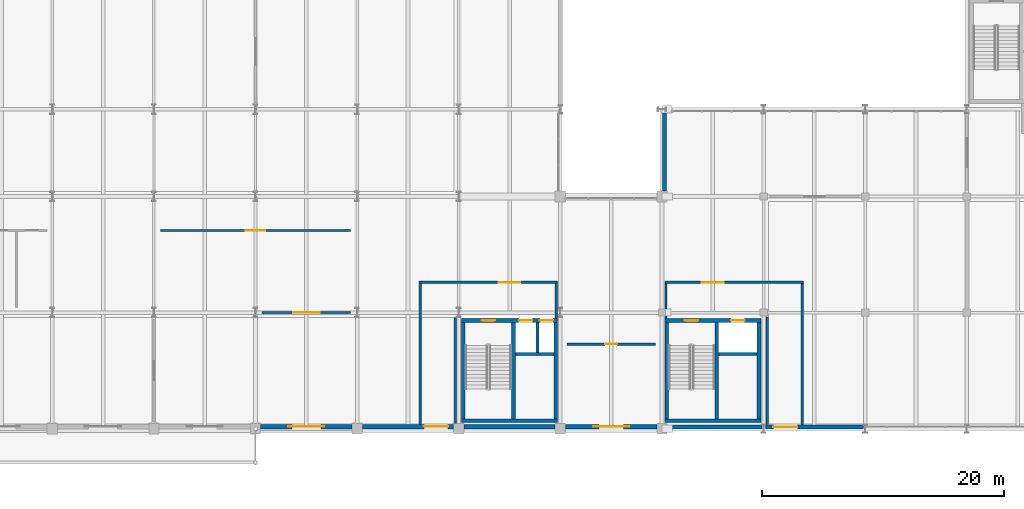
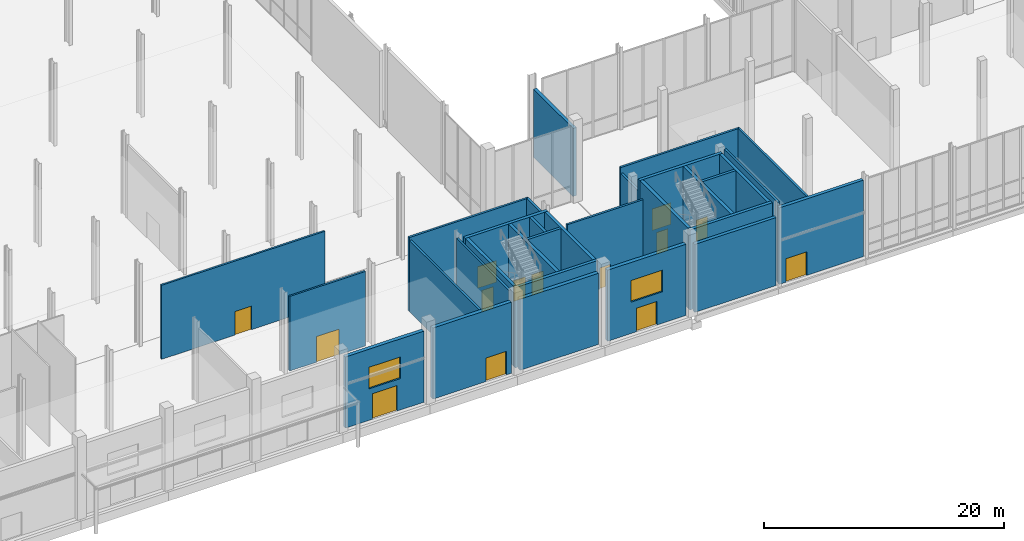
# One storey, part 117 of 131: 31 walls, 14 doors, 2 windows, 16 openings.
"""IFC4 building model written with IfcOpenShell, lengths in metres."""

from ifc_helpers import new_model, si_unit, direction, frame, frame_2d, origin, place, context, subcontext, project, spatial, rectangle, extrude, material, layer, layer_set, type_object, element, fill, save


model = new_model("IFC4")

# Units and contexts
model_context = context("Model", 3, precision=1e-05, world=origin(), true_north=direction((0.0, 1.0)))
body_context = subcontext(model_context, "Body", "Model", "MODEL_VIEW")
ifc_project = project(units=[si_unit("LENGTHUNIT", "METRE"), si_unit("AREAUNIT", "SQUARE_METRE"), si_unit("VOLUMEUNIT", "CUBIC_METRE"), si_unit("PLANEANGLEUNIT", "RADIAN"), si_unit("MASSUNIT", "GRAM", prefix="KILO")], contexts=[model_context])

# Site, building, storey
site_placement = place(None, origin())
site = spatial("IfcSite", under=ifc_project, at=site_placement, CompositionType="ELEMENT")
building_placement = place(site_placement, origin())
building = spatial("IfcBuilding", under=site, at=building_placement, Name="Veltarok Museum of Natural Sciences", CompositionType="ELEMENT")
storey_placement = place(building_placement, origin())
storey = spatial("IfcBuildingStorey", under=building, at=storey_placement, Name="L00", CompositionType="ELEMENT", Elevation=0.0)

# Wall, opening, door
ifc_material_1 = material(Name="Acoustic gypsum and mineral wool")
ifc_layer_1 = layer(ifc_material_1, 0.179931640625)
ifc_layer_set_1 = layer_set([ifc_layer_1], Name="Acoustic gypsum and mineral wool")
wall_type_1 = type_object("IfcWallType", Name="Exhibition Gallery Partition 180", PredefinedType="PARTITIONING", material=ifc_layer_set_1)
wall_1_placement = place(storey_placement, frame((74.14990234375, 9.60009765625, 0.0), z_axis=(0.0, 0.0, 1.0), x_axis=(1.0, 0.0, 0.0)))
wall_1 = element("IfcWall", 1, at=wall_1_placement, inside=storey, type_object=wall_type_1, Name="Interior Partition L00-012", PredefinedType="PARTITIONING", context=body_context, shape_type="SweptSolid", body=[
    extrude(rectangle(XDim=7.300048828125, YDim=0.179931640625, at=frame_2d((3.64990234375, 0.0))), origin(), (0.0, 0.0, 1.0), 7.58203125),
])
opening_1_placement = place(wall_1_placement, frame((2.550048828125, 0.0, 0.0)))
opening_1 = element("IfcOpeningElement", 2, at=opening_1_placement, cuts=wall_1, Name="Opening D-L00-138", PredefinedType="OPENING", context=body_context, shape_type="SweptSolid", body=[
    extrude(rectangle(XDim=2.199951171875, YDim=2.60009765625, at=frame_2d((1.10009765625, 1.300048828125))), frame((0.0, 0.10009765625, 0.0), z_axis=(0.0, -1.0, 0.0), x_axis=(1.0, 0.0, 0.0)), (0.0, 0.0, 1.0), 0.199951171875),
])
ifc_material_2 = material(Name="Solid European oak and acoustic glass", Category="glass")
door_type_1 = type_object("IfcDoorType", Name="Grand Gallery Double Portal Door 2200x2600", OperationType="NOTDEFINED", PredefinedType="DOOR", material=ifc_material_2)
door_1_placement = place(opening_1_placement, origin())
door_1 = element("IfcDoor", 3, at=door_1_placement, inside=storey, type_object=door_type_1, Name="Interior Door D-L00-138", OperationType="DOUBLE_DOOR_SINGLE_SWING", OverallHeight=2.60009765625, OverallWidth=2.199951171875, PredefinedType="DOOR", context=body_context, shape_type="SweptSolid", body=[
    extrude(rectangle(XDim=2.199951171875, YDim=2.60009765625, at=frame_2d((1.10009765625, 1.300048828125))), frame((0.0, 0.02490234375, 0.0), z_axis=(0.0, -1.0, 0.0), x_axis=(1.0, 0.0, 0.0)), (0.0, 0.0, 1.0), 0.050048828125),
])
fill(opening_1, door_1)

wall_2_placement = place(storey_placement, frame((65.75, 16.39990234375, 0.0), z_axis=(0.0, 0.0, 1.0), x_axis=(1.0, 0.0, 0.0)))
wall_2 = element("IfcWall", 4, at=wall_2_placement, inside=storey, type_object=wall_type_1, Name="Interior Partition L00-014", PredefinedType="PARTITIONING", context=body_context, shape_type="SweptSolid", body=[
    extrude(rectangle(XDim=15.699951171875, YDim=0.179931640625, at=frame_2d((7.85009765625, 0.0))), origin(), (0.0, 0.0, 1.0), 7.531982421875),
])
opening_2_placement = place(wall_2_placement, frame((7.050048828125, 0.0, 0.0)))
opening_2 = element("IfcOpeningElement", 5, at=opening_2_placement, cuts=wall_2, Name="Opening D-L00-140", PredefinedType="OPENING", context=body_context, shape_type="SweptSolid", body=[
    extrude(rectangle(XDim=1.60009765625, YDim=2.39990234375, at=frame_2d((0.800048828125, 1.199951171875))), frame((0.0, 0.10009765625, 0.0), z_axis=(0.0, -1.0, 0.0), x_axis=(1.0, 0.0, 0.0)), (0.0, 0.0, 1.0), 0.199951171875),
])
ifc_material_3 = material(Name="Solid European oak and safety glass", Category="glass")
door_type_2 = type_object("IfcDoorType", Name="Gallery Double Swing Door 1600x2400", OperationType="NOTDEFINED", PredefinedType="DOOR", material=ifc_material_3)
door_2_placement = place(opening_2_placement, origin())
door_2 = element("IfcDoor", 6, at=door_2_placement, inside=storey, type_object=door_type_2, Name="Interior Door D-L00-140", OperationType="DOUBLE_DOOR_SINGLE_SWING", OverallHeight=2.39990234375, OverallWidth=1.60009765625, PredefinedType="DOOR", context=body_context, shape_type="SweptSolid", body=[
    extrude(rectangle(XDim=1.60009765625, YDim=2.39990234375, at=frame_2d((0.800048828125, 1.199951171875))), frame((0.0, 0.02490234375, 0.0), z_axis=(0.0, -1.0, 0.0), x_axis=(1.0, 0.0, 0.0)), (0.0, 0.0, 1.0), 0.050048828125),
])
fill(opening_2, door_2)

# Wall, openings, door, window
ifc_material_4 = material(Name="Concrete C40/50", Category="concrete")
ifc_layer_2 = layer(ifc_material_4, 0.360107421875)
ifc_layer_set_2 = layer_set([ifc_layer_2], Name="Concrete C40/50")
wall_type_2 = type_object("IfcWallType", Name="Exposed Architectural Concrete Facade Wall 360", PredefinedType="SOLIDWALL", material=ifc_layer_set_2)
wall_3_placement = place(storey_placement, frame((74.02490234375, 0.179931640625, 0.0), z_axis=(0.0, 0.0, 1.0), x_axis=(1.0, 0.0, 0.0)))
wall_3 = element("IfcWall", 7, at=wall_3_placement, inside=storey, type_object=wall_type_2, Name="South Portal Wall 9-10", PredefinedType="SOLIDWALL", context=body_context, shape_type="SweptSolid", body=[
    extrude(rectangle(XDim=7.550048828125, YDim=0.360107421875, at=frame_2d((3.77490234375, 0.0))), origin(), (0.0, 0.0, 1.0), 7.235107421875),
])
opening_3_placement = place(wall_3_placement, frame((2.574951171875, 0.0, 0.0)))
opening_3 = element("IfcOpeningElement", 8, at=opening_3_placement, cuts=wall_3, Name="Opening E-03", PredefinedType="OPENING", context=body_context, shape_type="SweptSolid", body=[
    extrude(rectangle(XDim=2.39990234375, YDim=2.60009765625, at=frame_2d((1.199951171875, 1.300048828125))), frame((0.0, 0.18994140625, 0.0), z_axis=(0.0, -1.0, 0.0), x_axis=(1.0, 0.0, 0.0)), (0.0, 0.0, 1.0), 0.380126953125),
])
opening_4_placement = place(wall_3_placement, frame((2.27490234375, 0.0, 3.199951171875)))
opening_4 = element("IfcOpeningElement", 9, at=opening_4_placement, cuts=wall_3, Name="Opening W-L00-004", PredefinedType="OPENING", context=body_context, shape_type="SweptSolid", body=[
    extrude(rectangle(XDim=3.0, YDim=2.199951171875, at=frame_2d((1.5, 1.10009765625))), frame((0.0, 0.18994140625, 0.0), z_axis=(0.0, -1.0, 0.0), x_axis=(1.0, 0.0, 0.0)), (0.0, 0.0, 1.0), 0.380126953125),
])
ifc_material_5 = material(Name="Thermally broken aluminium and glass", Category="aluminium")
door_type_3 = type_object("IfcDoorType", Name="Double Glazed Entrance Portal Door 2400x2600", OperationType="NOTDEFINED", PredefinedType="DOOR", material=ifc_material_5)
door_3_placement = place(opening_3_placement, frame((2.39990234375, 0.0, 0.0), z_axis=(0.0, 0.0, 1.0), x_axis=(-1.0, 0.0, 0.0)))
door_3 = element("IfcDoor", 10, at=door_3_placement, inside=storey, type_object=door_type_3, Name="Pedestrian Final Exit E-03", OperationType="DOUBLE_DOOR_SINGLE_SWING", OverallHeight=2.60009765625, OverallWidth=2.39990234375, PredefinedType="DOOR", context=body_context, shape_type="SweptSolid", body=[
    extrude(rectangle(XDim=2.39990234375, YDim=2.60009765625, at=frame_2d((1.199951171875, 1.300048828125))), frame((0.0, 0.02490234375, 0.0), z_axis=(0.0, -1.0, 0.0), x_axis=(1.0, 0.0, 0.0)), (0.0, 0.0, 1.0), 0.050048828125),
])
fill(opening_3, door_3)
ifc_material_6 = material(Name="Low-iron triple insulated glass", Category="glass")
window_type = type_object("IfcWindowType", Name="Passage Foyer Transom Window 3000x2200", PartitioningType="SINGLE_PANEL", PredefinedType="WINDOW", material=ifc_material_6)
window_1_placement = place(opening_4_placement, origin())
window_1 = element("IfcWindow", 11, at=window_1_placement, inside=storey, type_object=window_type, Name="Portal Clerestory Window 9-10", OverallHeight=2.199951171875, OverallWidth=3.0, PartitioningType="SINGLE_PANEL", PredefinedType="WINDOW", context=body_context, shape_type="SweptSolid", body=[
    extrude(rectangle(XDim=3.0, YDim=2.199951171875, at=frame_2d((1.5, 1.10009765625))), frame((0.0, 0.030029296875, 0.0), z_axis=(0.0, -1.0, 0.0), x_axis=(1.0, 0.0, 0.0)), (0.0, 0.0, 1.0), 0.06005859375),
])
fill(opening_4, window_1)

# Wall, opening, door
wall_4_placement = place(storey_placement, frame((82.425048828125, 0.179931640625, 0.0), z_axis=(0.0, 0.0, 1.0), x_axis=(1.0, 0.0, 0.0)))
wall_4 = element("IfcWall", 12, at=wall_4_placement, inside=storey, type_object=wall_type_2, Name="South Portal Wall 10-11", PredefinedType="SOLIDWALL", context=body_context, shape_type="SweptSolid", body=[
    extrude(rectangle(XDim=7.550048828125, YDim=0.360107421875, at=frame_2d((3.77490234375, 0.0))), origin(), (0.0, 0.0, 1.0), 7.235107421875),
])
opening_5_placement = place(wall_4_placement, frame((5.10009765625, 0.0, 0.0)))
opening_5 = element("IfcOpeningElement", 13, at=opening_5_placement, cuts=wall_4, Name="Opening E-12", PredefinedType="OPENING", context=body_context, shape_type="SweptSolid", body=[
    extrude(rectangle(XDim=2.0, YDim=2.39990234375, at=frame_2d((1.0, 1.199951171875))), frame((0.0, 0.18994140625, 0.0), z_axis=(0.0, -1.0, 0.0), x_axis=(1.0, 0.0, 0.0)), (0.0, 0.0, 1.0), 0.380126953125),
])
ifc_material_7 = material(Name="Insulated steel and safety glass", Category="steel")
door_type_4 = type_object("IfcDoorType", Name="Double Escape Discharge Door 2000x2400", OperationType="NOTDEFINED", PredefinedType="DOOR", material=ifc_material_7)
door_4_placement = place(opening_5_placement, frame((2.0, 0.0, 0.0), z_axis=(0.0, 0.0, 1.0), x_axis=(-1.0, 0.0, 0.0)))
door_4 = element("IfcDoor", 14, at=door_4_placement, inside=storey, type_object=door_type_4, Name="Pedestrian Final Exit E-12", OperationType="DOUBLE_DOOR_SINGLE_SWING", OverallHeight=2.39990234375, OverallWidth=2.0, PredefinedType="DOOR", context=body_context, shape_type="SweptSolid", body=[
    extrude(rectangle(XDim=2.0, YDim=2.39990234375, at=frame_2d((1.0, 1.199951171875))), frame((0.0, 0.02490234375, 0.0), z_axis=(0.0, -1.0, 0.0), x_axis=(1.0, 0.0, 0.0)), (0.0, 0.0, 1.0), 0.050048828125),
])
fill(opening_5, door_4)

# Wall
wall_5_placement = place(storey_placement, frame((90.824951171875, 0.179931640625, 0.0), z_axis=(0.0, 0.0, 1.0), x_axis=(1.0, 0.0, 0.0)))
element("IfcWall", 15, at=wall_5_placement, inside=storey, type_object=wall_type_2, Name="South Core Facade Wall L00 11-12", PredefinedType="SOLIDWALL", context=body_context, shape_type="SweptSolid", body=[
    extrude(rectangle(XDim=7.550048828125, YDim=0.360107421875, at=frame_2d((3.77490234375, 0.0))), origin(), (0.0, 0.0, 1.0), 7.235107421875),
])

# Wall, openings, door, window
wall_6_placement = place(storey_placement, frame((99.22509765625, 0.179931640625, 0.0), z_axis=(0.0, 0.0, 1.0), x_axis=(1.0, 0.0, 0.0)))
wall_6 = element("IfcWall", 16, at=wall_6_placement, inside=storey, type_object=wall_type_2, Name="South Portal Wall 12-13", PredefinedType="SOLIDWALL", context=body_context, shape_type="SweptSolid", body=[
    extrude(rectangle(XDim=7.5498046875, YDim=0.360107421875, at=frame_2d((3.77490234375, 0.0))), origin(), (0.0, 0.0, 1.0), 7.235107421875),
])
opening_6_placement = place(wall_6_placement, frame((2.77490234375, 0.0, 0.0)))
opening_6 = element("IfcOpeningElement", 17, at=opening_6_placement, cuts=wall_6, Name="Opening E-05", PredefinedType="OPENING", context=body_context, shape_type="SweptSolid", body=[
    extrude(rectangle(XDim=2.0, YDim=2.39990234375, at=frame_2d((1.0, 1.199951171875))), frame((0.0, 0.18994140625, 0.0), z_axis=(0.0, -1.0, 0.0), x_axis=(1.0, 0.0, 0.0)), (0.0, 0.0, 1.0), 0.380126953125),
])
opening_7_placement = place(wall_6_placement, frame((2.27490234375, 0.0, 3.199951171875)))
opening_7 = element("IfcOpeningElement", 18, at=opening_7_placement, cuts=wall_6, Name="Opening W-L00-005", PredefinedType="OPENING", context=body_context, shape_type="SweptSolid", body=[
    extrude(rectangle(XDim=3.0, YDim=2.199951171875, at=frame_2d((1.5, 1.10009765625))), frame((0.0, 0.18994140625, 0.0), z_axis=(0.0, -1.0, 0.0), x_axis=(1.0, 0.0, 0.0)), (0.0, 0.0, 1.0), 0.380126953125),
])
door_5_placement = place(opening_6_placement, frame((2.0, 0.0, 0.0), z_axis=(0.0, 0.0, 1.0), x_axis=(-1.0, 0.0, 0.0)))
door_5 = element("IfcDoor", 19, at=door_5_placement, inside=storey, type_object=door_type_4, Name="Pedestrian Final Exit E-05", OperationType="DOUBLE_DOOR_SINGLE_SWING", OverallHeight=2.39990234375, OverallWidth=2.0, PredefinedType="DOOR", context=body_context, shape_type="SweptSolid", body=[
    extrude(rectangle(XDim=2.0, YDim=2.39990234375, at=frame_2d((1.0, 1.199951171875))), frame((0.0, 0.02490234375, 0.0), z_axis=(0.0, -1.0, 0.0), x_axis=(1.0, 0.0, 0.0)), (0.0, 0.0, 1.0), 0.050048828125),
])
fill(opening_6, door_5)
window_2_placement = place(opening_7_placement, origin())
window_2 = element("IfcWindow", 20, at=window_2_placement, inside=storey, type_object=window_type, Name="Portal Clerestory Window 12-13", OverallHeight=2.199951171875, OverallWidth=3.0, PartitioningType="SINGLE_PANEL", PredefinedType="WINDOW", context=body_context, shape_type="SweptSolid", body=[
    extrude(rectangle(XDim=3.0, YDim=2.199951171875, at=frame_2d((1.5, 1.10009765625))), frame((0.0, 0.030029296875, 0.0), z_axis=(0.0, -1.0, 0.0), x_axis=(1.0, 0.0, 0.0)), (0.0, 0.0, 1.0), 0.06005859375),
])
fill(opening_7, window_2)

# Wall, opening, door
ifc_material_8 = material(Name="Concrete C35/45", Category="concrete")
ifc_layer_3 = layer(ifc_material_8, 0.199951171875)
ifc_layer_set_3 = layer_set([ifc_layer_3], Name="Concrete C35/45")
wall_type_3 = type_object("IfcWallType", Name="Firefighting Lobby Compartment Wall 200", PredefinedType="SOLIDWALL", material=ifc_layer_set_3)
wall_7_placement = place(storey_placement, frame((87.10009765625, 12.10009765625, 0.0), z_axis=(0.0, 0.0, 1.0), x_axis=(1.0, 0.0, 0.0)))
wall_7 = element("IfcWall", 21, at=wall_7_placement, inside=storey, type_object=wall_type_3, Name="Firefighting Lobby Wall C2 L00 N", PredefinedType="SOLIDWALL", context=body_context, shape_type="SweptSolid", body=[
    extrude(rectangle(XDim=11.469970703125, YDim=0.199951171875, at=frame_2d((5.73486328125, 0.0))), origin(), (0.0, 0.0, 1.0), 7.531982421875),
])
opening_8_placement = place(wall_7_placement, frame((6.60009765625, 0.0, 0.0)))
opening_8 = element("IfcOpeningElement", 22, at=opening_8_placement, cuts=wall_7, Name="Opening D-L00-015", PredefinedType="OPENING", context=body_context, shape_type="SweptSolid", body=[
    extrude(rectangle(XDim=1.800048828125, YDim=2.199951171875, at=frame_2d((0.89990234375, 1.10009765625))), frame((0.0, 0.10986328125, 0.0), z_axis=(0.0, -1.0, 0.0), x_axis=(1.0, 0.0, 0.0)), (0.0, 0.0, 1.0), 0.219970703125),
])
ifc_material_9 = material(Name="Fire-rated steel and vision glass", Category="steel")
door_type_5 = type_object("IfcDoorType", Name="Fire Lobby Double Door 1800x2200", OperationType="NOTDEFINED", PredefinedType="DOOR", material=ifc_material_9)
door_6_placement = place(opening_8_placement, origin())
door_6 = element("IfcDoor", 23, at=door_6_placement, inside=storey, type_object=door_type_5, Name="Firefighting Lobby Entrance Door C2 L00", OperationType="DOUBLE_DOOR_SINGLE_SWING", OverallHeight=2.199951171875, OverallWidth=1.800048828125, PredefinedType="DOOR", context=body_context, shape_type="SweptSolid", body=[
    extrude(rectangle(XDim=1.800048828125, YDim=2.199951171875, at=frame_2d((0.89990234375, 1.10009765625))), frame((0.0, 0.02490234375, 0.0), z_axis=(0.0, -1.0, 0.0), x_axis=(1.0, 0.0, 0.0)), (0.0, 0.0, 1.0), 0.050048828125),
])
fill(opening_8, door_6)

# Walls
wall_8_placement = place(storey_placement, frame((98.469970703125, 12.0, 0.0), z_axis=(0.0, 0.0, 1.0), x_axis=(0.0, -1.0, 0.0)))
element("IfcWall", 24, at=wall_8_placement, inside=storey, type_object=wall_type_3, Name="Firefighting Lobby Wall C2 L00 E", PredefinedType="SOLIDWALL", context=body_context, shape_type="SweptSolid", body=[
    extrude(rectangle(XDim=2.89990234375, YDim=0.199951171875, at=frame_2d((1.449951171875, 0.0))), origin(), (0.0, 0.0, 1.0), 7.58203125),
])
wall_9_placement = place(storey_placement, frame((87.199951171875, 0.360107421875, 0.0), z_axis=(0.0, 0.0, 1.0), x_axis=(0.0, 1.0, 0.0)))
element("IfcWall", 25, at=wall_9_placement, inside=storey, type_object=wall_type_3, Name="Firefighting Lobby Wall C2 L00 EPW", PredefinedType="SOLIDWALL", context=body_context, shape_type="SweptSolid", body=[
    extrude(rectangle(XDim=11.639892578125, YDim=0.199951171875, at=frame_2d((5.81982421875, 0.0))), origin(), (0.0, 0.0, 1.0), 7.23193359375),
])
wall_10_placement = place(storey_placement, frame((90.10009765625, 9.199951171875, 0.0), z_axis=(0.0, 0.0, 1.0), x_axis=(0.0, -1.0, 0.0)))
element("IfcWall", 26, at=wall_10_placement, inside=storey, type_object=wall_type_3, Name="Firefighting Lobby Wall C2 L00 EPE", PredefinedType="SOLIDWALL", context=body_context, shape_type="SweptSolid", body=[
    extrude(rectangle(XDim=8.75, YDim=0.199951171875, at=frame_2d((4.375, 0.0))), origin(), (0.0, 0.0, 1.0), 8.135009765625),
])

# Wall, opening, door
wall_11_placement = place(storey_placement, frame((107.429931640625, 12.10009765625, 0.0), z_axis=(0.0, 0.0, 1.0), x_axis=(1.0, 0.0, 0.0)))
wall_11 = element("IfcWall", 27, at=wall_11_placement, inside=storey, type_object=wall_type_3, Name="Firefighting Lobby Wall C4 L00 N", PredefinedType="SOLIDWALL", context=body_context, shape_type="SweptSolid", body=[
    extrude(rectangle(XDim=11.469970703125, YDim=0.199951171875, at=frame_2d((5.73486328125, 0.0))), origin(), (0.0, 0.0, 1.0), 7.531982421875),
])
opening_9_placement = place(wall_11_placement, frame((3.070068359375, 0.0, 0.0)))
opening_9 = element("IfcOpeningElement", 28, at=opening_9_placement, cuts=wall_11, Name="Opening D-L00-020", PredefinedType="OPENING", context=body_context, shape_type="SweptSolid", body=[
    extrude(rectangle(XDim=1.800048828125, YDim=2.199951171875, at=frame_2d((0.89990234375, 1.10009765625))), frame((0.0, 0.10986328125, 0.0), z_axis=(0.0, -1.0, 0.0), x_axis=(1.0, 0.0, 0.0)), (0.0, 0.0, 1.0), 0.219970703125),
])
door_7_placement = place(opening_9_placement, origin())
door_7 = element("IfcDoor", 29, at=door_7_placement, inside=storey, type_object=door_type_5, Name="Firefighting Lobby Entrance Door C4 L00", OperationType="DOUBLE_DOOR_SINGLE_SWING", OverallHeight=2.199951171875, OverallWidth=1.800048828125, PredefinedType="DOOR", context=body_context, shape_type="SweptSolid", body=[
    extrude(rectangle(XDim=1.800048828125, YDim=2.199951171875, at=frame_2d((0.89990234375, 1.10009765625))), frame((0.0, 0.02490234375, 0.0), z_axis=(0.0, -1.0, 0.0), x_axis=(1.0, 0.0, 0.0)), (0.0, 0.0, 1.0), 0.050048828125),
])
fill(opening_9, door_7)

# Walls
wall_12_placement = place(storey_placement, frame((107.530029296875, 9.10009765625, 0.0), z_axis=(0.0, 0.0, 1.0), x_axis=(0.0, 1.0, 0.0)))
element("IfcWall", 30, at=wall_12_placement, inside=storey, type_object=wall_type_3, Name="Firefighting Lobby Wall C4 L00 W", PredefinedType="SOLIDWALL", context=body_context, shape_type="SweptSolid", body=[
    extrude(rectangle(XDim=2.89990234375, YDim=0.199951171875, at=frame_2d((1.449951171875, 0.0))), origin(), (0.0, 0.0, 1.0), 6.931884765625),
])
wall_13_placement = place(storey_placement, frame((118.800048828125, 12.0, 0.0), z_axis=(0.0, 0.0, 1.0), x_axis=(0.0, -1.0, 0.0)))
element("IfcWall", 31, at=wall_13_placement, inside=storey, type_object=wall_type_3, Name="Firefighting Lobby Wall C4 L00 EPE", PredefinedType="SOLIDWALL", context=body_context, shape_type="SweptSolid", body=[
    extrude(rectangle(XDim=11.679931640625, YDim=0.199951171875, at=frame_2d((5.83984375, 0.0))), origin(), (0.0, 0.0, 1.0), 7.58203125),
])
wall_14_placement = place(storey_placement, frame((115.89990234375, 0.35009765625, 0.0), z_axis=(0.0, 0.0, 1.0), x_axis=(0.0, 1.0, 0.0)))
element("IfcWall", 32, at=wall_14_placement, inside=storey, type_object=wall_type_3, Name="Firefighting Lobby Wall C4 L00 EPW", PredefinedType="SOLIDWALL", context=body_context, shape_type="SweptSolid", body=[
    extrude(rectangle(XDim=8.89990234375, YDim=0.199951171875, at=frame_2d((4.449951171875, 0.0))), origin(), (0.0, 0.0, 1.0), 8.135009765625),
])

# Wall, opening, door
wall_15_placement = place(storey_placement, frame((99.35009765625, 7.0, 0.0), z_axis=(0.0, 0.0, 1.0), x_axis=(1.0, 0.0, 0.0)))
wall_15 = element("IfcWall", 33, at=wall_15_placement, inside=storey, type_object=wall_type_3, Name="Interior Partition L00-013", PredefinedType="SOLIDWALL", context=body_context, shape_type="SweptSolid", body=[
    extrude(rectangle(XDim=7.2998046875, YDim=0.199951171875, at=frame_2d((3.64990234375, 0.0))), origin(), (0.0, 0.0, 1.0), 7.632080078125),
])
opening_10_placement = place(wall_15_placement, frame((3.14990234375, 0.0, 0.0)))
opening_10 = element("IfcOpeningElement", 34, at=opening_10_placement, cuts=wall_15, Name="Opening D-L00-139", PredefinedType="OPENING", context=body_context, shape_type="SweptSolid", body=[
    extrude(rectangle(XDim=1.0, YDim=2.14990234375, at=frame_2d((0.5, 1.074951171875))), frame((0.0, 0.10986328125, 0.0), z_axis=(0.0, -1.0, 0.0), x_axis=(1.0, 0.0, 0.0)), (0.0, 0.0, 1.0), 0.219970703125),
])
ifc_material_10 = material(Name="Fire-rated painted steel", Category="steel")
door_type_6 = type_object("IfcDoorType", Name="Fire Compartment Single Door 1000x2150", OperationType="NOTDEFINED", PredefinedType="DOOR", material=ifc_material_10)
door_8_placement = place(opening_10_placement, origin())
door_8 = element("IfcDoor", 35, at=door_8_placement, inside=storey, type_object=door_type_6, Name="Interior Door D-L00-139", OperationType="SINGLE_SWING_LEFT", OverallHeight=2.14990234375, OverallWidth=1.0, PredefinedType="DOOR", context=body_context, shape_type="SweptSolid", body=[
    extrude(rectangle(XDim=1.0, YDim=2.14990234375, at=frame_2d((0.5, 1.074951171875))), frame((0.0, 0.02490234375, 0.0), z_axis=(0.0, -1.0, 0.0), x_axis=(1.0, 0.0, 0.0)), (0.0, 0.0, 1.0), 0.050048828125),
])
fill(opening_10, door_8)

# Wall
ifc_material_11 = material(Name="Precast concrete C40/50", Category="concrete")
ifc_layer_4 = layer(ifc_material_11, 0.320068359375)
ifc_layer_set_4 = layer_set([ifc_layer_4], Name="Precast concrete C40/50")
wall_type_4 = type_object("IfcWallType", Name="Insulated Precast Facade Wall 320", PredefinedType="SOLIDWALL", material=ifc_layer_set_4)
wall_16_placement = place(storey_placement, frame((107.625, 0.159912109375, 0.0), z_axis=(0.0, 0.0, 1.0), x_axis=(1.0, 0.0, 0.0)))
element("IfcWall", 36, at=wall_16_placement, inside=storey, type_object=wall_type_4, Name="Core C4 South Facade Wall L00", PredefinedType="SOLIDWALL", context=body_context, shape_type="SweptSolid", body=[
    extrude(rectangle(XDim=7.824951171875, YDim=0.320068359375, at=frame_2d((3.91259765625, 0.0))), origin(), (0.0, 0.0, 1.0), 6.919921875),
])

# Wall, opening, door
wall_17_placement = place(storey_placement, frame((115.75, 0.159912109375, 0.0), z_axis=(0.0, 0.0, 1.0), x_axis=(1.0, 0.0, 0.0)))
wall_17 = element("IfcWall", 37, at=wall_17_placement, inside=storey, type_object=wall_type_4, Name="East Wing South Exit Portal Wall", PredefinedType="SOLIDWALL", context=body_context, shape_type="SweptSolid", body=[
    extrude(rectangle(XDim=8.10009765625, YDim=0.320068359375, at=frame_2d((4.050048828125, 0.0))), origin(), (0.0, 0.0, 1.0), 7.780029296875),
])
opening_11_placement = place(wall_17_placement, frame((0.64990234375, 0.0, 0.0)))
opening_11 = element("IfcOpeningElement", 38, at=opening_11_placement, cuts=wall_17, Name="Opening E-09", PredefinedType="OPENING", context=body_context, shape_type="SweptSolid", body=[
    extrude(rectangle(XDim=2.0, YDim=2.39990234375, at=frame_2d((1.0, 1.199951171875))), frame((0.0, 0.169921875, 0.0), z_axis=(0.0, -1.0, 0.0), x_axis=(1.0, 0.0, 0.0)), (0.0, 0.0, 1.0), 0.340087890625),
])
door_9_placement = place(opening_11_placement, frame((2.0, 0.0, 0.0), z_axis=(0.0, 0.0, 1.0), x_axis=(-1.0, 0.0, 0.0)))
door_9 = element("IfcDoor", 39, at=door_9_placement, inside=storey, type_object=door_type_4, Name="Pedestrian Final Exit E-09 East Wing South", OperationType="DOUBLE_DOOR_SINGLE_SWING", OverallHeight=2.39990234375, OverallWidth=2.0, PredefinedType="DOOR", context=body_context, shape_type="SweptSolid", body=[
    extrude(rectangle(XDim=2.0, YDim=2.39990234375, at=frame_2d((1.0, 1.199951171875))), frame((0.0, 0.02490234375, 0.0), z_axis=(0.0, -1.0, 0.0), x_axis=(1.0, 0.0, 0.0)), (0.0, 0.0, 1.0), 0.050048828125),
])
fill(opening_11, door_9)

# Walls
wall_18_placement = place(storey_placement, frame((107.419921875, 26.25, 0.0), z_axis=(0.0, 0.0, 1.0), x_axis=(0.0, -1.0, 0.0)))
element("IfcWall", 40, at=wall_18_placement, inside=storey, type_object=wall_type_4, Name="V5 Courtyard West End Wall L00 13/C-D", PredefinedType="SOLIDWALL", context=body_context, shape_type="SweptSolid", body=[
    extrude(rectangle(XDim=6.60009765625, YDim=0.320068359375, at=frame_2d((3.300048828125, 0.0))), origin(), (0.0, 0.0, 1.0), 6.931884765625),
])
ifc_layer_5 = layer(ifc_material_4, 0.25)
ifc_layer_set_5 = layer_set([ifc_layer_5], Name="Concrete C40/50")
wall_type_5 = type_object("IfcWallType", Name="Lift Shaft Concrete Shear Wall 250", PredefinedType="SHEAR", material=ifc_layer_set_5)
wall_19_placement = place(storey_placement, frame((96.9150390625, 6.300048828125, 0.0), z_axis=(0.0, 0.0, 1.0), x_axis=(0.0, 1.0, 0.0)))
element("IfcWall", 41, at=wall_19_placement, inside=storey, type_object=wall_type_5, Name="Lift Shaft Divider Wall C2 L00", PredefinedType="SHEAR", context=body_context, shape_type="SweptSolid", body=[
    extrude(rectangle(XDim=2.5, YDim=0.25, at=frame_2d((1.25, 0.0))), origin(), (0.0, 0.0, 1.0), 8.14990234375),
])
for number, where, z_axis, x_axis, name in (
    (42, (95.070068359375, 6.175048828125, 0.0), (0.0, 0.0, 1.0), (1.0, 0.0, 0.0), "Lift Shaft Back Wall C2 L00"),
    (43, (111.8701171875, 6.175048828125, 0.0), (0.0, 0.0, 1.0), (1.0, 0.0, 0.0), "Lift Shaft Back Wall C4 L00"),
):
    element("IfcWall", number, at=place(storey_placement, frame(where, z_axis=z_axis, x_axis=x_axis)), inside=storey, type_object=wall_type_5, Name=name, PredefinedType="SHEAR", context=body_context, shape_type="SweptSolid", body=[
        extrude(rectangle(XDim=3.199951171875, YDim=0.25, at=frame_2d((1.60009765625, 0.0))), origin(), (0.0, 0.0, 1.0), 8.14990234375),
    ])
ifc_layer_6 = layer(ifc_material_4, 0.300048828125)
ifc_layer_set_6 = layer_set([ifc_layer_6], Name="Concrete C40/50")
wall_type_6 = type_object("IfcWallType", Name="Protected Core Shear Wall 300", PredefinedType="SHEAR", material=ifc_layer_set_6)
wall_20_placement = place(storey_placement, frame((90.6298828125, 0.64990234375, 0.0), z_axis=(0.0, 0.0, 1.0), x_axis=(1.0, 0.0, 0.0)))
element("IfcWall", 44, at=wall_20_placement, inside=storey, type_object=wall_type_6, Name="Core Shear Wall C2 L00 S", PredefinedType="SHEAR", context=body_context, shape_type="SweptSolid", body=[
    extrude(rectangle(XDim=7.940185546875, YDim=0.300048828125, at=frame_2d((3.97021484375, 0.0))), origin(), (0.0, 0.0, 1.0), 8.14990234375),
])

# Wall, openings, doors
wall_21_placement = place(storey_placement, frame((98.570068359375, 8.949951171875, 0.0), z_axis=(0.0, 0.0, 1.0), x_axis=(-1.0, 0.0, 0.0)))
wall_21 = element("IfcWall", 45, at=wall_21_placement, inside=storey, type_object=wall_type_6, Name="Core Shear Wall C2 L00 N", PredefinedType="SHEAR", context=body_context, shape_type="SweptSolid", body=[
    extrude(rectangle(XDim=7.940185546875, YDim=0.300048828125, at=frame_2d((3.97021484375, 0.0))), origin(), (0.0, 0.0, 1.0), 8.14990234375),
])
opening_12_placement = place(wall_21_placement, frame((5.169921875, 0.0, 0.0)))
opening_12 = element("IfcOpeningElement", 46, at=opening_12_placement, cuts=wall_21, Name="Opening D-L00-014", PredefinedType="OPENING", context=body_context, shape_type="SweptSolid", body=[
    extrude(rectangle(XDim=1.10009765625, YDim=2.199951171875, at=frame_2d((0.550048828125, 1.10009765625))), frame((0.0, 0.16015625, 0.0), z_axis=(0.0, -1.0, 0.0), x_axis=(1.0, 0.0, 0.0)), (0.0, 0.0, 1.0), 0.320068359375),
])
opening_13_placement = place(wall_21_placement, frame((2.090087890625, 0.0, 0.0)))
opening_13 = element("IfcOpeningElement", 47, at=opening_13_placement, cuts=wall_21, Name="Opening LD-L00-LP-02", PredefinedType="OPENING", context=body_context, shape_type="SweptSolid", body=[
    extrude(rectangle(XDim=1.10009765625, YDim=2.10009765625, at=frame_2d((0.550048828125, 1.050048828125))), frame((0.0, 0.16015625, 0.0), z_axis=(0.0, -1.0, 0.0), x_axis=(1.0, 0.0, 0.0)), (0.0, 0.0, 1.0), 0.320068359375),
])
opening_14_placement = place(wall_21_placement, frame((0.364990234375, 0.0, 0.0)))
opening_14 = element("IfcOpeningElement", 48, at=opening_14_placement, cuts=wall_21, Name="Opening LD-L00-FL-02", PredefinedType="OPENING", context=body_context, shape_type="SweptSolid", body=[
    extrude(rectangle(XDim=1.10009765625, YDim=2.10009765625, at=frame_2d((0.550048828125, 1.050048828125))), frame((0.0, 0.16015625, 0.0), z_axis=(0.0, -1.0, 0.0), x_axis=(1.0, 0.0, 0.0)), (0.0, 0.0, 1.0), 0.320068359375),
])
door_type_7 = type_object("IfcDoorType", Name="Fire Core Single Escape Door 1100x2200", OperationType="NOTDEFINED", PredefinedType="DOOR", material=ifc_material_10)
door_10_placement = place(opening_12_placement, origin())
door_10 = element("IfcDoor", 49, at=door_10_placement, inside=storey, type_object=door_type_7, Name="Protected Stair Door ST-02 L00", OperationType="SINGLE_SWING_LEFT", OverallHeight=2.199951171875, OverallWidth=1.10009765625, PredefinedType="DOOR", context=body_context, shape_type="SweptSolid", body=[
    extrude(rectangle(XDim=1.10009765625, YDim=2.199951171875, at=frame_2d((0.550048828125, 1.10009765625))), frame((0.0, 0.02490234375, 0.0), z_axis=(0.0, -1.0, 0.0), x_axis=(1.0, 0.0, 0.0)), (0.0, 0.0, 1.0), 0.050048828125),
])
fill(opening_12, door_10)
ifc_material_12 = material(Name="Brushed stainless steel", Category="steel")
door_type_8 = type_object("IfcDoorType", Name="Passenger and Firefighting Lift Landing Door 1100x2100", OperationType="SLIDING_TO_LEFT", PredefinedType="DOOR", material=ifc_material_12)
door_11_placement = place(opening_13_placement, origin())
door_11 = element("IfcDoor", 50, at=door_11_placement, inside=storey, type_object=door_type_8, Name="Sliding Lift Landing Door LD-L00-LP-02", OperationType="SLIDING_TO_LEFT", OverallHeight=2.10009765625, OverallWidth=1.10009765625, PredefinedType="DOOR", context=body_context, shape_type="SweptSolid", body=[
    extrude(rectangle(XDim=1.10009765625, YDim=2.10009765625, at=frame_2d((0.550048828125, 1.050048828125))), frame((0.0, 0.02490234375, 0.0), z_axis=(0.0, -1.0, 0.0), x_axis=(1.0, 0.0, 0.0)), (0.0, 0.0, 1.0), 0.050048828125),
])
fill(opening_13, door_11)
door_12_placement = place(opening_14_placement, origin())
door_12 = element("IfcDoor", 51, at=door_12_placement, inside=storey, type_object=door_type_8, Name="Sliding Lift Landing Door LD-L00-FL-02", OperationType="SLIDING_TO_LEFT", OverallHeight=2.10009765625, OverallWidth=1.10009765625, PredefinedType="DOOR", context=body_context, shape_type="SweptSolid", body=[
    extrude(rectangle(XDim=1.10009765625, YDim=2.10009765625, at=frame_2d((0.550048828125, 1.050048828125))), frame((0.0, 0.02490234375, 0.0), z_axis=(0.0, -1.0, 0.0), x_axis=(1.0, 0.0, 0.0)), (0.0, 0.0, 1.0), 0.050048828125),
])
fill(opening_14, door_12)

# Walls
for number, where, z_axis, x_axis, name in (
    (52, (90.780029296875, 8.800048828125, 0.0), (0.0, 0.0, 1.0), (0.0, -1.0, 0.0), "Core Shear Wall C2 L00 W"),
    (53, (98.419921875, 0.800048828125, 0.0), (0.0, 0.0, 1.0), (0.0, 1.0, 0.0), "Core Shear Wall C2 L00 E"),
    (54, (94.919921875, 0.800048828125, 0.0), (0.0, 0.0, 1.0), (0.0, 1.0, 0.0), "Core Shear Wall C2 L00 DIV"),
):
    element("IfcWall", number, at=place(storey_placement, frame(where, z_axis=z_axis, x_axis=x_axis)), inside=storey, type_object=wall_type_6, Name=name, PredefinedType="SHEAR", context=body_context, shape_type="SweptSolid", body=[
        extrude(rectangle(XDim=8.0, YDim=0.300048828125, at=frame_2d((4.0, 0.0))), origin(), (0.0, 0.0, 1.0), 8.14990234375),
    ])
wall_22_placement = place(storey_placement, frame((107.429931640625, 0.64990234375, 0.0), z_axis=(0.0, 0.0, 1.0), x_axis=(1.0, 0.0, 0.0)))
element("IfcWall", 55, at=wall_22_placement, inside=storey, type_object=wall_type_6, Name="Core Shear Wall C4 L00 S", PredefinedType="SHEAR", context=body_context, shape_type="SweptSolid", body=[
    extrude(rectangle(XDim=7.940185546875, YDim=0.300048828125, at=frame_2d((3.97021484375, 0.0))), origin(), (0.0, 0.0, 1.0), 8.14990234375),
])

# Wall, openings, doors
wall_23_placement = place(storey_placement, frame((115.3701171875, 8.949951171875, 0.0), z_axis=(0.0, 0.0, 1.0), x_axis=(-1.0, 0.0, 0.0)))
wall_23 = element("IfcWall", 56, at=wall_23_placement, inside=storey, type_object=wall_type_6, Name="Core Shear Wall C4 L00 N", PredefinedType="SHEAR", context=body_context, shape_type="SweptSolid", body=[
    extrude(rectangle(XDim=7.940185546875, YDim=0.300048828125, at=frame_2d((3.97021484375, 0.0))), origin(), (0.0, 0.0, 1.0), 8.14990234375),
])
opening_15_placement = place(wall_23_placement, frame((5.169921875, 0.0, 0.0)))
opening_15 = element("IfcOpeningElement", 57, at=opening_15_placement, cuts=wall_23, Name="Opening D-L00-019", PredefinedType="OPENING", context=body_context, shape_type="SweptSolid", body=[
    extrude(rectangle(XDim=1.10009765625, YDim=2.199951171875, at=frame_2d((0.550048828125, 1.10009765625))), frame((0.0, 0.16015625, 0.0), z_axis=(0.0, -1.0, 0.0), x_axis=(1.0, 0.0, 0.0)), (0.0, 0.0, 1.0), 0.320068359375),
])
opening_16_placement = place(wall_23_placement, frame((1.35009765625, 0.0, 0.0)))
opening_16 = element("IfcOpeningElement", 58, at=opening_16_placement, cuts=wall_23, Name="Opening LD-L00-LP-04", PredefinedType="OPENING", context=body_context, shape_type="SweptSolid", body=[
    extrude(rectangle(XDim=1.10009765625, YDim=2.10009765625, at=frame_2d((0.550048828125, 1.050048828125))), frame((0.0, 0.16015625, 0.0), z_axis=(0.0, -1.0, 0.0), x_axis=(1.0, 0.0, 0.0)), (0.0, 0.0, 1.0), 0.320068359375),
])
door_13_placement = place(opening_15_placement, origin())
door_13 = element("IfcDoor", 59, at=door_13_placement, inside=storey, type_object=door_type_7, Name="Protected Stair Door ST-04 L00", OperationType="SINGLE_SWING_RIGHT", OverallHeight=2.199951171875, OverallWidth=1.10009765625, PredefinedType="DOOR", context=body_context, shape_type="SweptSolid", body=[
    extrude(rectangle(XDim=1.10009765625, YDim=2.199951171875, at=frame_2d((0.550048828125, 1.10009765625))), frame((0.0, 0.02490234375, 0.0), z_axis=(0.0, -1.0, 0.0), x_axis=(1.0, 0.0, 0.0)), (0.0, 0.0, 1.0), 0.050048828125),
])
fill(opening_15, door_13)
door_14_placement = place(opening_16_placement, origin())
door_14 = element("IfcDoor", 60, at=door_14_placement, inside=storey, type_object=door_type_8, Name="Sliding Lift Landing Door LD-L00-LP-04", OperationType="SLIDING_TO_LEFT", OverallHeight=2.10009765625, OverallWidth=1.10009765625, PredefinedType="DOOR", context=body_context, shape_type="SweptSolid", body=[
    extrude(rectangle(XDim=1.10009765625, YDim=2.10009765625, at=frame_2d((0.550048828125, 1.050048828125))), frame((0.0, 0.02490234375, 0.0), z_axis=(0.0, -1.0, 0.0), x_axis=(1.0, 0.0, 0.0)), (0.0, 0.0, 1.0), 0.050048828125),
])
fill(opening_16, door_14)

# Walls
for number, where, z_axis, x_axis, name in (
    (61, (107.580078125, 8.800048828125, 0.0), (0.0, 0.0, 1.0), (0.0, -1.0, 0.0), "Core Shear Wall C4 L00 W"),
    (62, (115.219970703125, 0.800048828125, 0.0), (0.0, 0.0, 1.0), (0.0, 1.0, 0.0), "Core Shear Wall C4 L00 E"),
    (63, (111.719970703125, 0.800048828125, 0.0), (0.0, 0.0, 1.0), (0.0, 1.0, 0.0), "Core Shear Wall C4 L00 DIV"),
):
    element("IfcWall", number, at=place(storey_placement, frame(where, z_axis=z_axis, x_axis=x_axis)), inside=storey, type_object=wall_type_6, Name=name, PredefinedType="SHEAR", context=body_context, shape_type="SweptSolid", body=[
        extrude(rectangle(XDim=8.0, YDim=0.300048828125, at=frame_2d((4.0, 0.0))), origin(), (0.0, 0.0, 1.0), 8.14990234375),
    ])

save(model, "model.ifc")
